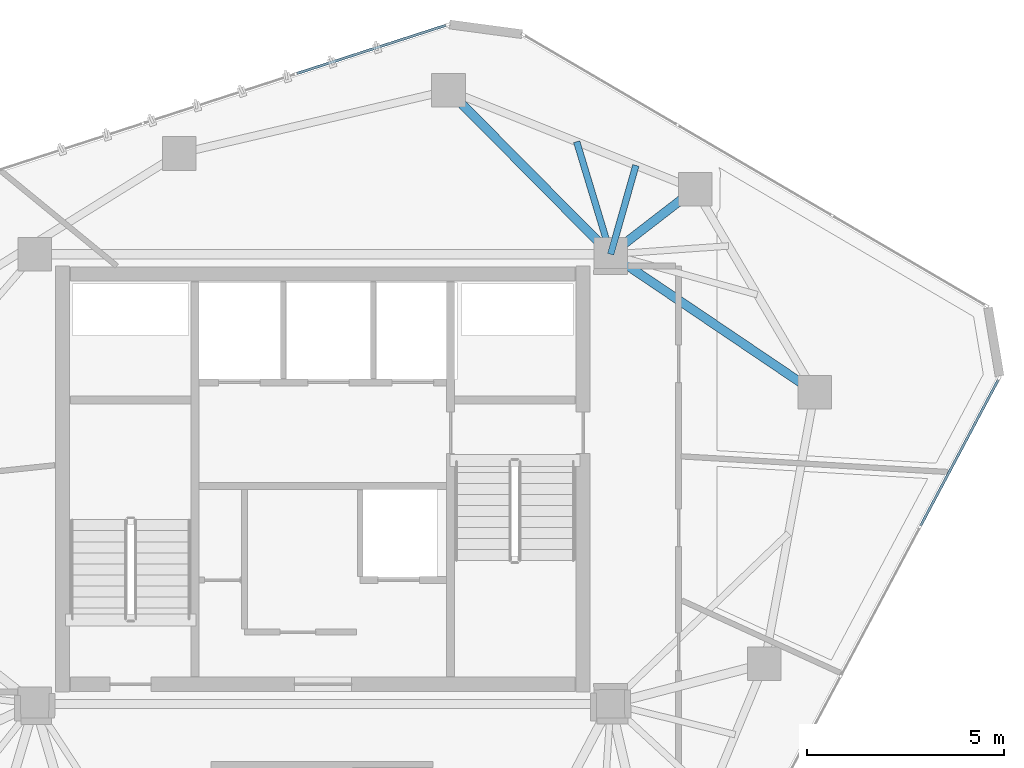
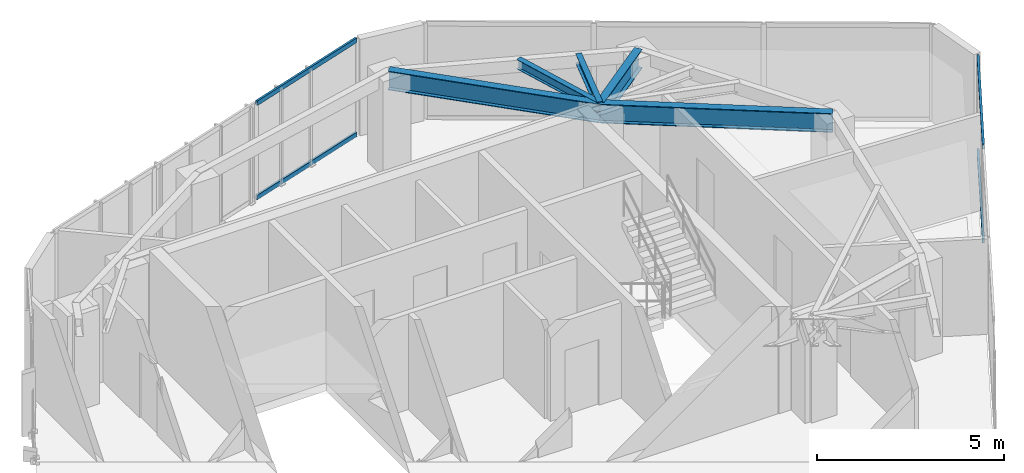
# One storey, part 12 of 19: 5 beams, 4 members, 2 elements without a shape of their own.
"""IFC4 building model written with IfcOpenShell, lengths in metres."""

from ifc_helpers import new_model, si_unit, direction, frame, origin, origin_2d, place, context, subcontext, project, spatial, hollow_rectangle, i_section, extrude, source, transform, mapped, material, layer, layer_set, material_profile, profile_set, type_object, type_shapes, element, aggregate, save


model = new_model("IFC4")

# Units and contexts
model_context = context("Model", 3, precision=1e-05, world=origin(), true_north=direction((0.0, 1.0)))
body_context = subcontext(model_context, "Body", "Model", "MODEL_VIEW")
ifc_project = project(units=[si_unit("LENGTHUNIT", "METRE"), si_unit("AREAUNIT", "SQUARE_METRE"), si_unit("VOLUMEUNIT", "CUBIC_METRE"), si_unit("PLANEANGLEUNIT", "RADIAN"), si_unit("MASSUNIT", "GRAM", prefix="KILO")], contexts=[model_context])

# Site, building, storey
site_placement = place(None, origin())
site = spatial("IfcSite", under=ifc_project, at=site_placement, CompositionType="ELEMENT")
building_placement = place(site_placement, origin())
building = spatial("IfcBuilding", under=site, at=building_placement, Name="Talar Marvaseh", CompositionType="ELEMENT")
storey_placement = place(building_placement, frame((0.0, 0.0, 288.39990234375)))
storey = spatial("IfcBuildingStorey", under=building, at=storey_placement, Name="L77", CompositionType="ELEMENT", Elevation=288.39990234375)

# Beams
ifc_material_1 = material(Name="Steel S355", Category="steel")
ifc_material_profile_1 = material_profile(ifc_material_1, i_section(OverallWidth=0.166015625, OverallDepth=0.31298828125, WebThickness=0.006591796875, FlangeThickness=0.01123046875, at=origin_2d()), Name="W310x45")
ifc_profile_set_1 = profile_set([ifc_material_profile_1], Name="Steel S355")
beam_type_1 = type_object("IfcBeamType", Name="Zone 3 Secondary Floor Joist W310x45", PredefinedType="JOIST", material=ifc_profile_set_1)
beam_1_placement = place(storey_placement, frame((32.43798828125, 39.75146484375, 2.983642578125), z_axis=(0.289377277289, -0.957215122837, 0.0), x_axis=(0.957215122837, 0.289377277289, 0.0)))
element("IfcBeam", 1, at=beam_1_placement, inside=storey, type_object=beam_type_1, Name="L77 Zone 3 Secondary Floor Joist W310x45", PredefinedType="JOIST", context=body_context, shape_type="SweptSolid", body=[
    extrude(i_section(OverallWidth=0.166015625, OverallDepth=0.31298828125, WebThickness=0.006591796875, FlangeThickness=0.01123046875, at=origin_2d()), origin(), (0.0, 0.0, 1.0), 2.97900390625),
])
beam_2_placement = place(storey_placement, frame((33.93798828125, 39.151123046875, 2.983642578125), z_axis=(-0.272639596879, -0.962116235293, 0.0), x_axis=(0.962116235293, -0.272639596879, 0.0)))
element("IfcBeam", 2, at=beam_2_placement, inside=storey, type_object=beam_type_1, Name="L77 Zone 3 Secondary Floor Joist W310x45", PredefinedType="JOIST", context=body_context, shape_type="SweptSolid", body=[
    extrude(i_section(OverallWidth=0.166015625, OverallDepth=0.31298828125, WebThickness=0.006591796875, FlangeThickness=0.01123046875, at=origin_2d()), origin(), (0.0, 0.0, 1.0), 2.33984375),
])
ifc_material_profile_2 = material_profile(ifc_material_1, i_section(OverallWidth=0.22998046875, OverallDepth=0.616943359375, WebThickness=0.01318359375, FlangeThickness=0.022216796875, at=origin_2d()), Name="W610x140")
ifc_profile_set_2 = profile_set([ifc_material_profile_2], Name="Steel S355")
beam_type_2 = type_object("IfcBeamType", Name="Zone 4 Radial Floor Girder W610x140", PredefinedType="BEAM", material=ifc_profile_set_2)
beam_3_placement = place(storey_placement, frame((29.18798828125, 41.052001953125, 2.83154296875), z_axis=(0.703672658083, -0.710524306598, 0.0), x_axis=(0.710524306598, 0.703672658083, 0.0)))
element("IfcBeam", 3, at=beam_3_placement, inside=storey, type_object=beam_type_2, Name="L77 Zone 4 Radial Floor Girder W610x140", PredefinedType="BEAM", context=body_context, shape_type="SweptSolid", body=[
    extrude(i_section(OverallWidth=0.22998046875, OverallDepth=0.616943359375, WebThickness=0.01318359375, FlangeThickness=0.022216796875, at=origin_2d()), origin(), (0.0, 0.0, 1.0), 5.84375),
])
beam_4_placement = place(storey_placement, frame((35.43798828125, 38.551025390625, 2.83154296875), z_axis=(-0.791449946636, -0.611233982996, 0.0), x_axis=(0.611233982996, -0.791449946636, 0.0)))
element("IfcBeam", 4, at=beam_4_placement, inside=storey, type_object=beam_type_2, Name="L77 Zone 4 Radial Floor Girder W610x140", PredefinedType="BEAM", context=body_context, shape_type="SweptSolid", body=[
    extrude(i_section(OverallWidth=0.22998046875, OverallDepth=0.616943359375, WebThickness=0.01318359375, FlangeThickness=0.022216796875, at=origin_2d()), origin(), (0.0, 0.0, 1.0), 2.701416015625),
])
beam_5_placement = place(storey_placement, frame((38.470947265625, 33.406005859375, 2.83154296875), z_axis=(-0.828585535277, 0.559862492698, 0.0), x_axis=(-0.559862492698, -0.828585535277, 0.0)))
element("IfcBeam", 5, at=beam_5_placement, inside=storey, type_object=beam_type_2, Name="L77 Zone 4 Radial Floor Girder W610x140", PredefinedType="BEAM", context=body_context, shape_type="SweptSolid", body=[
    extrude(i_section(OverallWidth=0.22998046875, OverallDepth=0.616943359375, WebThickness=0.01318359375, FlangeThickness=0.022216796875, at=origin_2d()), origin(), (0.0, 0.0, 1.0), 6.24072265625),
])

# Curtain wall, members
ifc_material_2 = material(Name="Architectural Aluminium", Category="aluminium")
ifc_layer = layer(ifc_material_2, 0.179931640625)
ifc_layer_set = layer_set([ifc_layer], Name="Architectural Aluminium")
curtain_wall_type = type_object("IfcCurtainWallType", Name="Unitised High-Wind Sky Curtain Wall Z4", PredefinedType="NOTDEFINED", material=ifc_layer_set)
curtain_wall_1_placement = place(storey_placement, origin())
curtain_wall_1 = element("IfcCurtainWall", 6, at=curtain_wall_1_placement, inside=storey, type_object=curtain_wall_type, Name="L77 Unitised High-Wind Sky Curtain Wall Z4", PredefinedType="NOTDEFINED")
ifc_material_profile_3 = material_profile(ifc_material_2, hollow_rectangle(XDim=0.06494140625, YDim=0.14990234375, WallThickness=0.00390625, at=origin_2d()), Name="RHS150x65x4")
ifc_profile_set_3 = profile_set([ifc_material_profile_3], Name="Architectural Aluminium")
member_type = type_object("IfcMemberType", Name="Unitised Curtain Wall Slim Transom RHS150x65x4", PredefinedType="USERDEFINED", material=ifc_profile_set_3)
shared_shape_1 = source(origin(), body_context, "Body", "SweptSolid", [
    extrude(hollow_rectangle(XDim=0.06494140625, YDim=0.14990234375, WallThickness=0.00390625, at=origin_2d()), origin(), (0.0, 0.0, 1.0), 3.97119140625),
])
member_1_placement = place(storey_placement, frame((25.343017578125, 41.481689453125, 0.03271484375), z_axis=(0.95140744293, 0.307934859243, 0.0), x_axis=(-0.307934859243, 0.95140744293, 0.0)))
member_1 = element("IfcMember", 7, at=member_1_placement, type_object=member_type, Name="CW-Z4 transom 3.1", ObjectType="TRANSOM", PredefinedType="USERDEFINED", context=body_context, shape_type="MappedRepresentation", body=[
    mapped(shared_shape_1, transform((0.0, 0.0, 0.0), x_axis=(1.0, 0.0, 0.0), y_axis=(0.0, 1.0, 0.0), z_axis=(0.0, 0.0, 1.0), scale=1.0)),
])
member_2_placement = place(storey_placement, frame((25.343017578125, 41.481689453125, 3.107666015625), z_axis=(0.95140744293, 0.307934859243, 0.0), x_axis=(-0.307934859243, 0.95140744293, 0.0)))
member_2 = element("IfcMember", 8, at=member_2_placement, type_object=member_type, Name="CW-Z4 transom 3.2", ObjectType="TRANSOM", PredefinedType="USERDEFINED", context=body_context, shape_type="MappedRepresentation", body=[
    mapped(shared_shape_1, transform((0.0, 0.0, 0.0), x_axis=(1.0, 0.0, 0.0), y_axis=(0.0, 1.0, 0.0), z_axis=(0.0, 0.0, 1.0), scale=1.0)),
])
aggregate(curtain_wall_1, [member_1, member_2])

curtain_wall_2_placement = place(storey_placement, origin())
curtain_wall_2 = element("IfcCurtainWall", 9, at=curtain_wall_2_placement, inside=storey, type_object=curtain_wall_type, Name="L77 Unitised High-Wind Sky Curtain Wall Z4", PredefinedType="NOTDEFINED")
shared_shape_2 = source(origin(), body_context, "Body", "SweptSolid", [
    extrude(hollow_rectangle(XDim=0.06494140625, YDim=0.14990234375, WallThickness=0.00390625, at=origin_2d()), origin(), (0.0, 0.0, 1.0), 4.18896484375),
])
type_shapes(member_type, [shared_shape_1, shared_shape_2])
member_3_placement = place(storey_placement, frame((43.123291015625, 33.71337890625, 0.03271484375), z_axis=(-0.469638103652, -0.882859021361, 0.0), x_axis=(0.882859021361, -0.469638103652, 0.0)))
member_3 = element("IfcMember", 10, at=member_3_placement, type_object=member_type, Name="CW-Z4 transom 1.1", ObjectType="TRANSOM", PredefinedType="USERDEFINED", context=body_context, shape_type="MappedRepresentation", body=[
    mapped(shared_shape_2, transform((0.0, 0.0, 0.0), x_axis=(1.0, 0.0, 0.0), y_axis=(0.0, 1.0, 0.0), z_axis=(0.0, 0.0, 1.0), scale=1.0)),
])
member_4_placement = place(storey_placement, frame((43.123291015625, 33.71337890625, 3.107666015625), z_axis=(-0.469638103652, -0.882859021361, 0.0), x_axis=(0.882859021361, -0.469638103652, 0.0)))
member_4 = element("IfcMember", 11, at=member_4_placement, type_object=member_type, Name="CW-Z4 transom 1.2", ObjectType="TRANSOM", PredefinedType="USERDEFINED", context=body_context, shape_type="MappedRepresentation", body=[
    mapped(shared_shape_2, transform((0.0, 0.0, 0.0), x_axis=(1.0, 0.0, 0.0), y_axis=(0.0, 1.0, 0.0), z_axis=(0.0, 0.0, 1.0), scale=1.0)),
])
aggregate(curtain_wall_2, [member_3, member_4])

save(model, "model.ifc")
